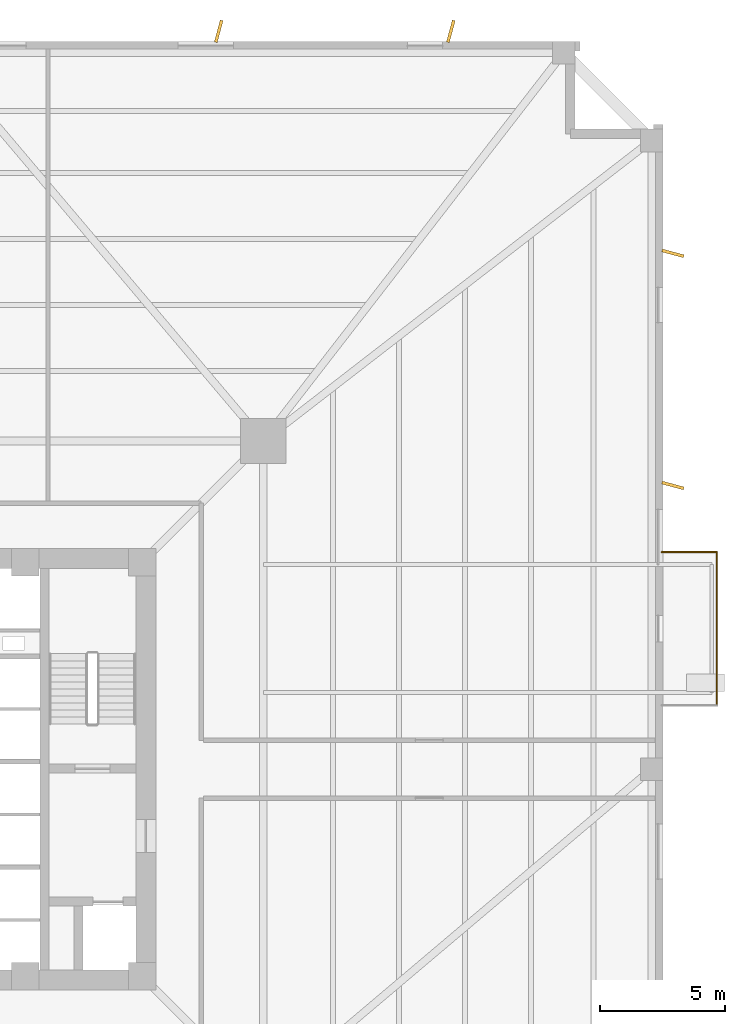
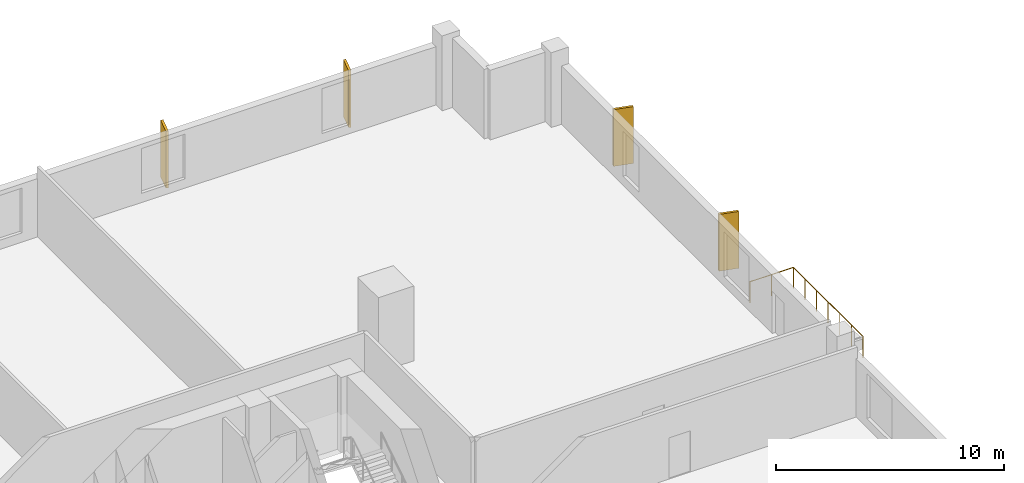
# One storey, part 8 of 8: 4 coverings, 2 railings.
"""IFC4 building model written with IfcOpenShell, lengths in metres."""

import ifcopenshell
import ifcopenshell.guid

model = None  # the IFC model being written
_history = None  # IfcOwnerHistory: only IFC2X3 demands one
_inside = {}  # id of a spatial element -> (the spatial element, [elements in it])
_under = {}  # id of a project, library or spatial element -> (it, [spatial elements below it])
_declared = {}  # id of a project -> (the project, [libraries it declares])
_typed = {}  # id of a type object -> (the type object, [elements of that type])
_made_of = {}  # id of a material, layer set ... -> (it, [elements and type objects made of it])


def new_model(schema):
    """Start an empty IFC model of exactly this schema.

    Asked for "IFC4X3", IfcOpenShell would pick the latest addendum, in which some entities
    have other attributes; the version numbers below select the first issue.
    IFC2X3 requires an IfcOwnerHistory on every rooted entity: one is made here for all.
    """
    global model, _history
    if schema == "IFC4X3":
        model = ifcopenshell.file(schema_version=(4, 3, 0, 0))
    else:
        model = ifcopenshell.file(schema=schema)
    _inside.clear()
    _under.clear()
    _declared.clear()
    _typed.clear()
    _made_of.clear()
    _history = None
    if model.schema == "IFC2X3":
        org = make("IfcOrganization", Name="unknown")
        user = make(
            "IfcPersonAndOrganization",
            ThePerson=make("IfcPerson", FamilyName="unknown"),
            TheOrganization=org,
        )
        app = make(
            "IfcApplication",
            ApplicationDeveloper=org,
            Version="unknown",
            ApplicationFullName="unknown",
            ApplicationIdentifier="unknown",
        )
        _history = make(
            "IfcOwnerHistory",
            OwningUser=user,
            OwningApplication=app,
            ChangeAction="ADDED",
            CreationDate=0,
        )
    return model


def make(cls, **values):
    """One entity of the class cls with the attributes given. An attribute that is None is left unset."""
    return model.create_entity(
        cls, **{name: value for name, value in values.items() if value is not None}
    )


def rooted(cls, **values):
    """An entity with a GlobalId (a new one), such as an element, a storey or a relation."""
    return make(cls, GlobalId=ifcopenshell.guid.new(), OwnerHistory=_history, **values)


def si_unit(unit_type, name, prefix=None):
    """IfcSIUnit, for example si_unit("LENGTHUNIT", "METRE", prefix="MILLI")."""
    return make("IfcSIUnit", UnitType=unit_type, Prefix=prefix, Name=name)


def assignment(units):
    """IfcUnitAssignment: the units of a project."""
    return None if units is None else make("IfcUnitAssignment", Units=units)


def point(xyz):
    """IfcCartesianPoint."""
    return None if xyz is None else make("IfcCartesianPoint", Coordinates=xyz)


def direction(xyz):
    """IfcDirection."""
    return None if xyz is None else make("IfcDirection", DirectionRatios=xyz)


def frame(location, z_axis=None, x_axis=None):
    """IfcAxis2Placement3D, a coordinate frame: its origin and axes. An axis left out is left unset."""
    return make(
        "IfcAxis2Placement3D",
        Location=point(location),
        Axis=direction(z_axis),
        RefDirection=direction(x_axis),
    )


def frame_2d(location, x_axis=None):
    """IfcAxis2Placement2D, a coordinate frame in the plane: its origin and x axis."""
    return make(
        "IfcAxis2Placement2D", Location=point(location), RefDirection=direction(x_axis)
    )


def origin():
    """The frame at (0, 0, 0) with its axes left unset."""
    return frame((0.0, 0.0, 0.0))


def origin_2d():
    """The frame at (0, 0) in the plane with its x axis left unset."""
    return frame_2d((0.0, 0.0))


def place(relative_to, where):
    """IfcLocalPlacement: puts the frame where relative to a parent placement (None: the world)."""
    return make(
        "IfcLocalPlacement", PlacementRelTo=relative_to, RelativePlacement=where
    )


def context(
    kind, dimensions, precision=None, world=None, true_north=None, identifier=None
):
    """IfcGeometricRepresentationContext, for example the 3D "Model" context."""
    return make(
        "IfcGeometricRepresentationContext",
        ContextIdentifier=identifier,
        ContextType=kind,
        CoordinateSpaceDimension=dimensions,
        Precision=precision,
        WorldCoordinateSystem=world,
        TrueNorth=true_north,
    )


def subcontext(parent, identifier, kind, view, scale=None):
    """IfcGeometricRepresentationSubContext, for example "Body" below "Model"."""
    return make(
        "IfcGeometricRepresentationSubContext",
        ContextIdentifier=identifier,
        ContextType=kind,
        ParentContext=parent,
        TargetScale=scale,
        TargetView=view,
    )


def project(units=None, contexts=None):
    """IfcProject with its units and contexts."""
    return rooted(
        "IfcProject",
        Name="project",
        RepresentationContexts=contexts,
        UnitsInContext=assignment(units),
    )


def spatial(cls, under=None, at=None, **own):
    """A site, building, storey or space (cls), placed at a placement, below another one or the project."""
    s = rooted(cls, ObjectPlacement=at, **own)
    if under is not None:
        _under.setdefault(under.id(), (under, []))[1].append(s)
    return s


def profile(cls, at=None, kind="AREA", **sizes):
    """A parametric profile (cls). Its sizes go by their IFC names, for example OverallWidth=200.0."""
    return make(cls, ProfileType=kind, Position=at, **sizes)


def rectangle(**sizes):
    """IfcRectangleProfileDef."""
    return profile("IfcRectangleProfileDef", **sizes)


def circle(**sizes):
    """IfcCircleProfileDef."""
    return profile("IfcCircleProfileDef", **sizes)


def extrude(swept, where, along, depth):
    """IfcExtrudedAreaSolid: the profile swept, set in the frame where, extruded along a direction by depth."""
    return make(
        "IfcExtrudedAreaSolid",
        SweptArea=swept,
        Position=where,
        ExtrudedDirection=direction(along),
        Depth=depth,
    )


def shape(context_of_items, identifier, shape_type, items):
    """IfcShapeRepresentation: the items that make up one representation, for example the "Body"."""
    return make(
        "IfcShapeRepresentation",
        ContextOfItems=context_of_items,
        RepresentationIdentifier=identifier,
        RepresentationType=shape_type,
        Items=items,
    )


def source(mapping_origin, context_of_items, identifier, shape_type, items):
    """IfcRepresentationMap: a shape defined once, which mapped items show again and again."""
    return make(
        "IfcRepresentationMap",
        MappingOrigin=mapping_origin,
        MappedRepresentation=shape(context_of_items, identifier, shape_type, items),
    )


def transform(
    local_origin,
    x_axis=None,
    y_axis=None,
    z_axis=None,
    scale=None,
    scale2=None,
    scale3=None,
    uniform=True,
):
    """IfcCartesianTransformationOperator3D, or its non-uniform kind. x_axis, y_axis, z_axis: its Axis1, 2, 3."""
    if uniform:
        return make(
            "IfcCartesianTransformationOperator3D",
            Axis1=direction(x_axis),
            Axis2=direction(y_axis),
            LocalOrigin=point(local_origin),
            Scale=scale,
            Axis3=direction(z_axis),
        )
    return make(
        "IfcCartesianTransformationOperator3DnonUniform",
        Axis1=direction(x_axis),
        Axis2=direction(y_axis),
        LocalOrigin=point(local_origin),
        Scale=scale,
        Axis3=direction(z_axis),
        Scale2=scale2,
        Scale3=scale3,
    )


def mapped(mapping_source, mapping_target):
    """IfcMappedItem: shows the shape of a source again, moved by a transform."""
    return make(
        "IfcMappedItem", MappingSource=mapping_source, MappingTarget=mapping_target
    )


def material(Name=None, Category=None):
    """IfcMaterial."""
    return make("IfcMaterial", Name=Name, Category=Category)


def layer(
    of_material, thickness, ventilated=None, Name=None, Category=None, Priority=None
):
    """IfcMaterialLayer: one layer of a wall or slab, of a material (None: an air gap)."""
    return make(
        "IfcMaterialLayer",
        Material=of_material,
        LayerThickness=thickness,
        IsVentilated=ventilated,
        Name=Name,
        Category=Category,
        Priority=Priority,
    )


def layer_set(layers, Name=None):
    """IfcMaterialLayerSet."""
    return make("IfcMaterialLayerSet", MaterialLayers=layers, LayerSetName=Name)


def made_of(thing, what):
    """Note that an element or type object is made of a material, layer set ...; save() writes the relation."""
    if what is not None:
        _made_of.setdefault(what.id(), (what, []))[1].append(thing)
    return thing


def type_object(cls, material=None, **own):
    """A type object (cls), such as IfcWallType, which elements share."""
    return made_of(rooted(cls, **own), material)


def element(
    cls,
    number,
    at=None,
    inside=None,
    cuts=None,
    type_object=None,
    material=None,
    context=None,
    identifier="Body",
    shape_type=None,
    held_by="IfcProductDefinitionShape",
    body=None,
    shapes=None,
    **own,
):
    """One element of the class cls, such as IfcWall. Its Tag is "e" and its number.

    at: its placement. inside: the storey or other place that contains it. cuts: it is an
    opening in that element (IfcRelVoidsElement). A single representation is given by context,
    identifier, shape_type and body (its items); several are given by shapes. held_by: the class
    of the entity that holds the representations. save() writes the other relations.
    """
    e = rooted(cls, Tag="e%d" % number, ObjectPlacement=at, **own)
    if body is not None:
        shapes = [shape(context, identifier, shape_type, body)]
    if shapes is not None:
        e.Representation = make(held_by, Representations=shapes)
    if inside is not None:
        _inside.setdefault(inside.id(), (inside, []))[1].append(e)
    if cuts is not None:
        rooted(
            "IfcRelVoidsElement", RelatingBuildingElement=cuts, RelatedOpeningElement=e
        )
    if type_object is not None:
        _typed.setdefault(type_object.id(), (type_object, []))[1].append(e)
    return made_of(e, material)


def aggregate(whole, parts):
    """IfcRelAggregates: a whole, such as a stair, and the parts it consists of."""
    return rooted("IfcRelAggregates", RelatingObject=whole, RelatedObjects=parts)


def save(model, path):
    """Write the relations noted so far, then the file.

    IfcRelAggregates (storeys below a building ...), IfcRelContainedInSpatialStructure (elements
    in a storey), IfcRelDefinesByType, IfcRelAssociatesMaterial and IfcRelDeclares: one each for
    every whole, place, type object, material and project.
    """
    for whole, parts in _under.values():
        aggregate(whole, parts)
    for where, things in _inside.values():
        rooted(
            "IfcRelContainedInSpatialStructure",
            RelatedElements=things,
            RelatingStructure=where,
        )
    for kind, things in _typed.values():
        rooted("IfcRelDefinesByType", RelatedObjects=things, RelatingType=kind)
    for what, things in _made_of.values():
        rooted("IfcRelAssociatesMaterial", RelatedObjects=things, RelatingMaterial=what)
    for by, libraries in _declared.values():
        rooted("IfcRelDeclares", RelatingContext=by, RelatedDefinitions=libraries)
    model.write(path)


model = new_model("IFC4")

# Units and contexts
model_context = context("Model", 3, precision=1e-05, world=origin(), true_north=direction((0.0, 1.0)))
body_context = subcontext(model_context, "Body", "Model", "MODEL_VIEW")
ifc_project = project(units=[si_unit("LENGTHUNIT", "METRE"), si_unit("AREAUNIT", "SQUARE_METRE"), si_unit("VOLUMEUNIT", "CUBIC_METRE"), si_unit("PLANEANGLEUNIT", "RADIAN"), si_unit("MASSUNIT", "GRAM", prefix="KILO"), si_unit("THERMODYNAMICTEMPERATUREUNIT", "KELVIN")], contexts=[model_context])

# Site, building, storey
site_placement = place(None, origin())
site = spatial("IfcSite", under=ifc_project, at=site_placement, CompositionType="ELEMENT")
building_placement = place(site_placement, origin())
building = spatial("IfcBuilding", under=site, at=building_placement, Name="Kosmvard Interchange Tower", CompositionType="ELEMENT")
storey_placement = place(building_placement, frame((0.0, 0.0, 34.0)))
storey = spatial("IfcBuildingStorey", under=building, at=storey_placement, Name="L07", CompositionType="ELEMENT", Elevation=34.0)

# Coverings
ifc_material_1 = material(Name="Architectural anodised aluminium", Category="aluminium")
ifc_layer = layer(ifc_material_1, 0.1201171875, Name="Architectural anodised aluminium")
ifc_layer_set = layer_set([ifc_layer], Name="Architectural anodised aluminium")
covering_type = type_object("IfcCoveringType", Name="Rotating Vertical Sun-Breaker Fin 900x120 Aluminium", PredefinedType="CLADDING", material=ifc_layer_set)
shared_shape_1 = source(origin(), body_context, "Body", "SweptSolid", [
    extrude(rectangle(XDim=0.89990234375, YDim=0.1201171875, at=origin_2d()), origin(), (0.0, 0.0, 1.0), 3.0400390625),
])
for number, where, z_axis, x_axis, name in (
    (1, (29.39990234375, 11.3037109375, 0.0400390625), (0.0, 0.0, 1.0), (0.965472630879, -0.260504508643, 0.0), "L07 Rotating Vertical Sun-Breaker Fin 07"),
    (2, (29.39990234375, 20.552001953125, 0.0400390625), (0.0, 0.0, 1.0), (0.965472630879, -0.260504508643, 0.0), "L07 Rotating Vertical Sun-Breaker Fin 08"),
    (3, (20.552001953125, 29.39990234375, 0.0400390625), (0.0, 0.0, 1.0), (0.260504508643, 0.965472630879, 0.0), "L07 Rotating Vertical Sun-Breaker Fin 09"),
    (4, (11.3037109375, 29.39990234375, 0.0400390625), (0.0, 0.0, 1.0), (0.260504508643, 0.965472630879, 0.0), "L07 Rotating Vertical Sun-Breaker Fin 10"),
):
    element("IfcCovering", number, at=place(storey_placement, frame(where, z_axis=z_axis, x_axis=x_axis)), inside=storey, type_object=covering_type, Name=name, PredefinedType="CLADDING", context=body_context, shape_type="MappedRepresentation", body=[
        mapped(shared_shape_1, transform((0.0, 0.0, 0.0), scale=1.0)),
    ])

# Railings
ifc_material_2 = material(Name="Steel S355", Category="steel")
railing_type = type_object("IfcRailingType", Name="Observation & Balcony Glass-Infill Balustrade 1150", PredefinedType="BALUSTRADE", material=ifc_material_2)
shared_shape_2 = source(origin(), body_context, "Body", "SweptSolid", [
    extrude(circle(Radius=0.02392578125, at=origin_2d()), frame((0.0, 0.0, 1.1259765625), z_axis=(0.0, 1.0, 0.0), x_axis=(-1.0, 0.0, 0.0)), (0.0, 0.0, 1.0), 6.099853515625),
    extrude(circle(Radius=0.02099609375, at=origin_2d()), origin(), (0.0, 0.0, 1.0), 1.101806640625),
    extrude(circle(Radius=0.02099609375, at=origin_2d()), frame((0.0, 1.0166015625, 0.0)), (0.0, 0.0, 1.0), 1.101806640625),
    extrude(circle(Radius=0.02099609375, at=origin_2d()), frame((0.0, 2.033203125, 0.0)), (0.0, 0.0, 1.0), 1.101806640625),
    extrude(circle(Radius=0.02099609375, at=origin_2d()), frame((0.0, 3.0498046875, 0.0)), (0.0, 0.0, 1.0), 1.101806640625),
    extrude(circle(Radius=0.02099609375, at=origin_2d()), frame((0.0, 4.066650390625, 0.0)), (0.0, 0.0, 1.0), 1.101806640625),
    extrude(circle(Radius=0.02099609375, at=origin_2d()), frame((0.0, 5.083251953125, 0.0)), (0.0, 0.0, 1.0), 1.101806640625),
    extrude(circle(Radius=0.02099609375, at=origin_2d()), frame((0.0, 6.099853515625, 0.0)), (0.0, 0.0, 1.0), 1.101806640625),
])
railing_1_placement = place(storey_placement, frame((31.14990234375, 2.550048828125, 0.0)))
element("IfcRailing", 5, at=railing_1_placement, inside=storey, type_object=railing_type, Name="L07 Outdoor Terrace Guard BAL-L07-E-B", PredefinedType="BALUSTRADE", context=body_context, shape_type="MappedRepresentation", body=[
    mapped(shared_shape_2, transform((0.0, 0.0, 0.0), scale=1.0)),
])
shared_shape_3 = source(origin(), body_context, "Body", "SweptSolid", [
    extrude(circle(Radius=0.02392578125, at=origin_2d()), frame((0.0, 0.0, 1.1259765625), z_axis=(-1.0, 0.0, 0.0), x_axis=(0.0, -1.0, 0.0)), (0.0, 0.0, 1.0), 2.199951171875),
    extrude(circle(Radius=0.02099609375, at=origin_2d()), origin(), (0.0, 0.0, 1.0), 1.101806640625),
    extrude(circle(Radius=0.02099609375, at=origin_2d()), frame((-1.10009765625, 0.0, 0.0)), (0.0, 0.0, 1.0), 1.101806640625),
    extrude(circle(Radius=0.02099609375, at=origin_2d()), frame((-2.199951171875, 0.0, 0.0)), (0.0, 0.0, 1.0), 1.101806640625),
])
railing_2_placement = place(storey_placement, frame((31.14990234375, 8.64990234375, 0.0)))
element("IfcRailing", 6, at=railing_2_placement, inside=storey, type_object=railing_type, Name="L07 Outdoor Terrace Guard BAL-L07-E-C", PredefinedType="BALUSTRADE", context=body_context, shape_type="MappedRepresentation", body=[
    mapped(shared_shape_3, transform((0.0, 0.0, 0.0), scale=1.0)),
])

save(model, "model.ifc")
